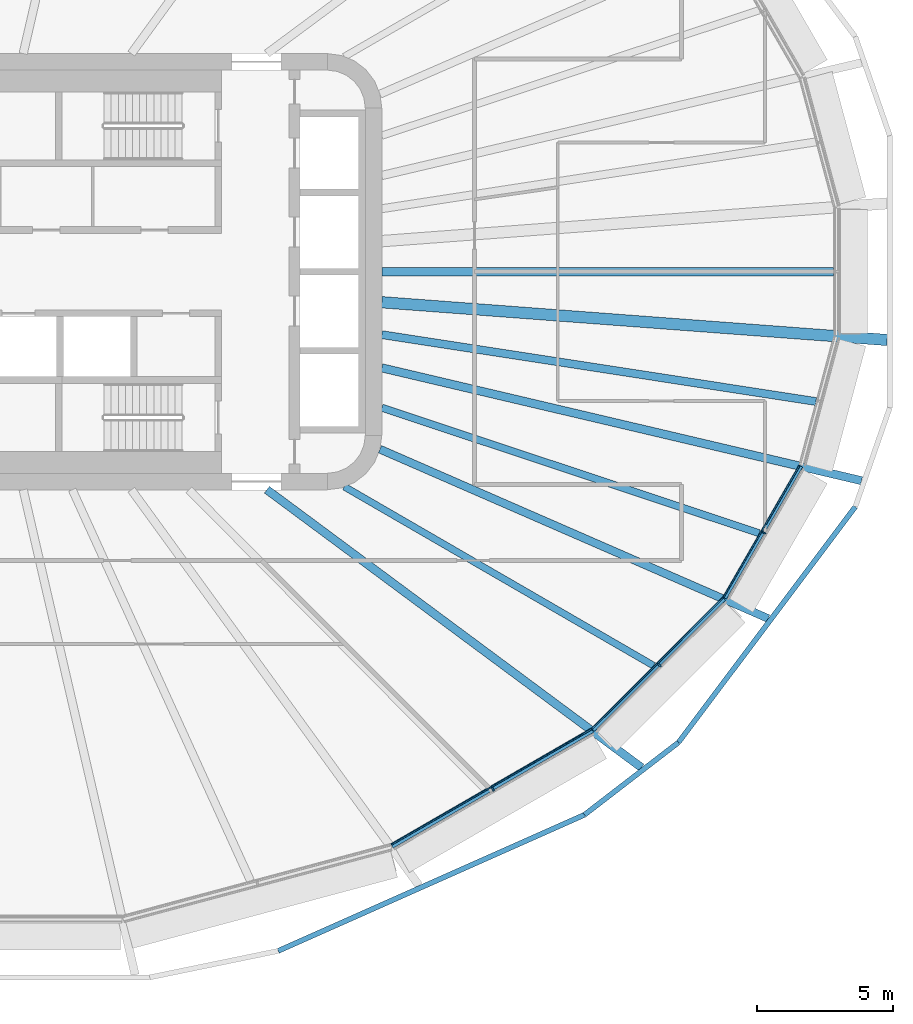
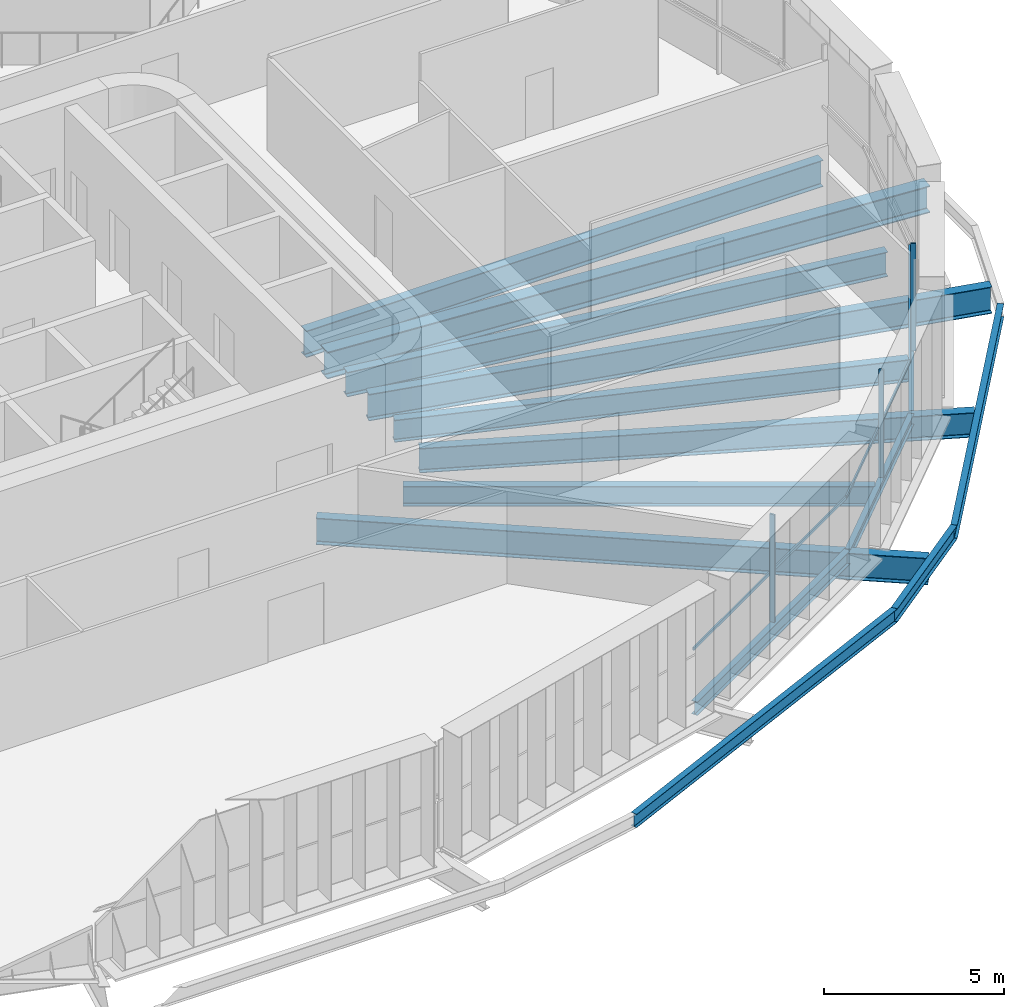
# One storey, part 5 of 25: 14 beams, 6 members, 3 elements without a shape of their own.
"""IFC4 building model written with IfcOpenShell, lengths in metres."""

from ifc_helpers import new_model, si_unit, direction, frame, origin, origin_2d, place, context, subcontext, project, spatial, rectangle, i_section, extrude, material, layer, layer_set, material_profile, profile_set, type_object, element, aggregate, save


model = new_model("IFC4")

# Units and contexts
model_context = context("Model", 3, precision=1e-05, world=origin(), true_north=direction((0.0, 1.0)))
body_context = subcontext(model_context, "Body", "Model", "MODEL_VIEW")
ifc_project = project(units=[si_unit("LENGTHUNIT", "METRE"), si_unit("AREAUNIT", "SQUARE_METRE"), si_unit("VOLUMEUNIT", "CUBIC_METRE"), si_unit("PLANEANGLEUNIT", "RADIAN"), si_unit("MASSUNIT", "GRAM", prefix="KILO")], contexts=[model_context])

# Site, building, storey
site_placement = place(None, origin())
site = spatial("IfcSite", under=ifc_project, at=site_placement, CompositionType="ELEMENT")
building_placement = place(site_placement, origin())
building = spatial("IfcBuilding", under=site, at=building_placement, Name="Sahrelin Media Tower", CompositionType="ELEMENT")
storey_placement = place(building_placement, frame((0.0, 0.0, 127.199951171875)))
storey = spatial("IfcBuildingStorey", under=building, at=storey_placement, Name="L25", CompositionType="ELEMENT", Elevation=127.199951171875)

# Beams
ifc_material_1 = material(Name="Steel S355", Category="steel")
ifc_material_profile_1 = material_profile(ifc_material_1, i_section(OverallWidth=0.1650390625, OverallDepth=0.303466796875, WebThickness=0.006103515625, FlangeThickness=0.01025390625, FilletRadius=0.0087890625, at=origin_2d()), Name="UB 305x165x40")
ifc_profile_set_1 = profile_set([ifc_material_profile_1], Name="Steel S355")
beam_type_1 = type_object("IfcBeamType", Name="Edge beam EB2", PredefinedType="BEAM", material=ifc_profile_set_1)
beam_1_placement = place(storey_placement, frame((30.364990234375, -7.13037109375, -0.3017578125), z_axis=(-0.500012514453, -0.866018178441, 0.0), x_axis=(0.866018178441, -0.500012514453, 0.0)))
element("IfcBeam", 1, at=beam_1_placement, inside=storey, type_object=beam_type_1, Name="Edge beam L25-03", PredefinedType="BEAM", context=body_context, shape_type="SweptSolid", body=[
    extrude(i_section(OverallWidth=0.1650390625, OverallDepth=0.303466796875, WebThickness=0.006103515625, FlangeThickness=0.01025390625, FilletRadius=0.0087890625, at=origin_2d()), origin(), (0.0, 0.0, 1.0), 5.585693359375),
])
ifc_material_profile_2 = material_profile(ifc_material_1, i_section(OverallWidth=0.17138671875, OverallDepth=0.35498046875, WebThickness=0.00732421875, FlangeThickness=0.011474609375, FilletRadius=0.01025390625, at=origin_2d()), Name="UB 356x171x51")
ifc_profile_set_2 = profile_set([ifc_material_profile_2], Name="Steel S355")
beam_type_2 = type_object("IfcBeamType", Name="Edge beam EB3", PredefinedType="BEAM", material=ifc_profile_set_2)
beam_2_placement = place(storey_placement, frame((27.5546875, -11.990478515625, -0.327392578125), z_axis=(-0.707088830897, -0.70712473102, 0.0), x_axis=(0.70712473102, -0.707088830897, 0.0)))
element("IfcBeam", 2, at=beam_2_placement, inside=storey, type_object=beam_type_2, Name="Edge beam L25-04", PredefinedType="BEAM", context=body_context, shape_type="SweptSolid", body=[
    extrude(i_section(OverallWidth=0.17138671875, OverallDepth=0.35498046875, WebThickness=0.00732421875, FlangeThickness=0.011474609375, FilletRadius=0.01025390625, at=origin_2d()), origin(), (0.0, 0.0, 1.0), 6.800537109375),
])
ifc_material_profile_3 = material_profile(ifc_material_1, i_section(OverallWidth=0.1904296875, OverallDepth=0.45703125, WebThickness=0.009033203125, FlangeThickness=0.014404296875, FilletRadius=0.01025390625, at=origin_2d()), Name="UB 457x191x74")
ifc_profile_set_3 = profile_set([ifc_material_profile_3], Name="Steel S355")
beam_type_3 = type_object("IfcBeamType", Name="Edge beam EB5", PredefinedType="BEAM", material=ifc_profile_set_3)
beam_3_placement = place(storey_placement, frame((22.72314453125, -16.81689453125, -0.37841796875), z_axis=(-0.866031904094, -0.499988740965, 0.0), x_axis=(0.499988740965, -0.866031904094, 0.0)))
element("IfcBeam", 3, at=beam_3_placement, inside=storey, type_object=beam_type_3, Name="Edge beam L25-05", PredefinedType="BEAM", context=body_context, shape_type="SweptSolid", body=[
    extrude(i_section(OverallWidth=0.1904296875, OverallDepth=0.45703125, WebThickness=0.009033203125, FlangeThickness=0.014404296875, FilletRadius=0.01025390625, at=origin_2d()), origin(), (0.0, 0.0, 1.0), 8.491943359375),
])

# Curtain wall, member
ifc_material_2 = material(Name="Champagne anodised aluminium 6063-T6", Category="aluminium")
ifc_layer = layer(ifc_material_2, 0.14990234375)
ifc_layer_set = layer_set([ifc_layer], Name="Tower ribbon curtain wall")
curtain_wall_type = type_object("IfcCurtainWallType", Name="Tower ribbon curtain wall", PredefinedType="NOTDEFINED", material=ifc_layer_set)
curtain_wall_1_placement = place(storey_placement, frame((19.12109375, -19.069580078125, 0.0), z_axis=(0.0, 0.0, 1.0), x_axis=(1.0, 0.0, 0.0)))
curtain_wall_1 = element("IfcCurtainWall", 4, at=curtain_wall_1_placement, inside=storey, type_object=curtain_wall_type, Name="L25:CW:L25-20", PredefinedType="NOTDEFINED")
ifc_material_profile_4 = material_profile(ifc_material_2, rectangle(XDim=0.06005859375, YDim=0.14990234375, at=origin_2d()), Name="Mullion 60x150")
ifc_profile_set_4 = profile_set([ifc_material_profile_4], Name="Champagne anodised aluminium 6063-T6")
member_type_1 = type_object("IfcMemberType", Name="Mullion 60x150 CW1", PredefinedType="MULLION", material=ifc_profile_set_4)
member_1_placement = place(storey_placement, frame((19.073486328125, -18.9873046875, 0.0), z_axis=(0.0, 0.0, 1.0), x_axis=(0.866028021766, 0.499995465495, 0.0)))
member_1 = element("IfcMember", 5, at=member_1_placement, type_object=member_type_1, Name="L25:CWM:L25-20", PredefinedType="MULLION", context=body_context, shape_type="SweptSolid", body=[
    extrude(rectangle(XDim=0.06005859375, YDim=0.14990234375, at=origin_2d()), origin(), (0.0, 0.0, 1.0), 3.648681640625),
])

curtain_wall_2_placement = place(storey_placement, frame((25.25634765625, -14.5009765625, 0.0), z_axis=(0.0, 0.0, 1.0), x_axis=(1.0, 0.0, 0.0)))
curtain_wall_2 = element("IfcCurtainWall", 6, at=curtain_wall_2_placement, inside=storey, type_object=curtain_wall_type, Name="L25:CW:L25-21", PredefinedType="NOTDEFINED")
member_2_placement = place(storey_placement, frame((25.189208984375, -14.433837890625, 0.0), z_axis=(0.0, 0.0, 1.0), x_axis=(0.707099376343, 0.707114185953, 0.0)))
member_2 = element("IfcMember", 7, at=member_2_placement, type_object=member_type_1, Name="L25:CWM:L25-21", PredefinedType="MULLION", context=body_context, shape_type="SweptSolid", body=[
    extrude(rectangle(XDim=0.06005859375, YDim=0.14990234375, at=origin_2d()), origin(), (0.0, 0.0, 1.0), 3.648681640625),
])

curtain_wall_3_placement = place(storey_placement, frame((29.098388671875, -9.6240234375, 0.0), z_axis=(0.0, 0.0, 1.0), x_axis=(1.0, 0.0, 0.0)))
curtain_wall_3 = element("IfcCurtainWall", 8, at=curtain_wall_3_placement, inside=storey, type_object=curtain_wall_type, Name="L25:CW:L25-22", PredefinedType="NOTDEFINED")
member_3_placement = place(storey_placement, frame((29.01611328125, -9.57666015625, 0.0), z_axis=(0.0, 0.0, 1.0), x_axis=(0.4999984885, 0.866026276448, 0.0)))
member_3 = element("IfcMember", 9, at=member_3_placement, type_object=member_type_1, Name="L25:CWM:L25-22", PredefinedType="MULLION", context=body_context, shape_type="SweptSolid", body=[
    extrude(rectangle(XDim=0.06005859375, YDim=0.14990234375, at=origin_2d()), origin(), (0.0, 0.0, 1.0), 3.648681640625),
])

# Beams
ifc_material_profile_5 = material_profile(ifc_material_1, i_section(OverallWidth=0.291748046875, OverallDepth=0.8349609375, WebThickness=0.013916015625, FlangeThickness=0.018798828125, FilletRadius=0.017822265625, at=origin_2d()), Name="UB 838x292x176")
ifc_profile_set_5 = profile_set([ifc_material_profile_5], Name="Steel S355")
beam_type_4 = type_object("IfcBeamType", Name="Radial primary beam PB10", PredefinedType="BEAM", material=ifc_profile_set_5)
beam_4_placement = place(storey_placement, frame((14.9326171875, -6.51171875, -0.5673828125), z_axis=(0.91664061464, -0.399712376081, 0.0), x_axis=(0.399712376081, 0.91664061464, 0.0)))
element("IfcBeam", 10, at=beam_4_placement, inside=storey, type_object=beam_type_4, Name="Radial beam L25-22", PredefinedType="BEAM", context=body_context, shape_type="SweptSolid", body=[
    extrude(i_section(OverallWidth=0.291748046875, OverallDepth=0.8349609375, WebThickness=0.013916015625, FlangeThickness=0.018798828125, FilletRadius=0.017822265625, at=origin_2d()), origin(), (0.0, 0.0, 1.0), 15.537841796875),
])
ifc_material_profile_6 = material_profile(ifc_material_1, i_section(OverallWidth=0.30322265625, OverallDepth=0.903076171875, WebThickness=0.01513671875, FlangeThickness=0.020263671875, FilletRadius=0.01904296875, at=origin_2d()), Name="UB 914x305x201")
ifc_profile_set_6 = profile_set([ifc_material_profile_6], Name="Steel S355")
beam_type_5 = type_object("IfcBeamType", Name="Radial primary beam PB11", PredefinedType="BEAM", material=ifc_profile_set_6)
beam_5_placement = place(storey_placement, frame((10.787109375, -8.0, -0.6015625), z_axis=(0.803218064417, -0.595685102209, 0.0), x_axis=(0.595685102209, 0.803218064417, 0.0)))
element("IfcBeam", 11, at=beam_5_placement, inside=storey, type_object=beam_type_5, Name="Radial beam L25-21", PredefinedType="BEAM", context=body_context, shape_type="SweptSolid", body=[
    extrude(i_section(OverallWidth=0.30322265625, OverallDepth=0.903076171875, WebThickness=0.01513671875, FlangeThickness=0.020263671875, FilletRadius=0.01904296875, at=origin_2d()), origin(), (0.0, 0.0, 1.0), 17.1083984375),
])
beam_6_placement = place(storey_placement, frame((15.0, -3.527587890625, -0.6015625), z_axis=(0.973441952546, -0.228933975247, 0.0), x_axis=(0.228933975247, 0.973441952546, 0.0)))
element("IfcBeam", 12, at=beam_6_placement, inside=storey, type_object=beam_type_5, Name="Radial beam L25-23", PredefinedType="BEAM", context=body_context, shape_type="SweptSolid", body=[
    extrude(i_section(OverallWidth=0.30322265625, OverallDepth=0.903076171875, WebThickness=0.01513671875, FlangeThickness=0.020263671875, FilletRadius=0.01904296875, at=origin_2d()), origin(), (0.0, 0.0, 1.0), 18.082275390625),
])
ifc_material_profile_7 = material_profile(ifc_material_1, i_section(OverallWidth=0.41845703125, OverallDepth=0.911865234375, WebThickness=0.019287109375, FlangeThickness=0.031982421875, FilletRadius=0.024169921875, at=origin_2d()), Name="UB 914x419x343")
ifc_profile_set_7 = profile_set([ifc_material_profile_7], Name="Steel S355")
beam_type_6 = type_object("IfcBeamType", Name="Radial primary beam PB12", PredefinedType="BEAM", material=ifc_profile_set_7)
beam_7_placement = place(storey_placement, frame((15.0, -1.12060546875, -0.60595703125), z_axis=(0.997219962224, -0.07451407211, 0.0), x_axis=(0.07451407211, 0.997219962224, 0.0)))
element("IfcBeam", 13, at=beam_7_placement, inside=storey, type_object=beam_type_6, Name="Radial beam L25-24", PredefinedType="BEAM", context=body_context, shape_type="SweptSolid", body=[
    extrude(i_section(OverallWidth=0.41845703125, OverallDepth=0.911865234375, WebThickness=0.019287109375, FlangeThickness=0.031982421875, FilletRadius=0.024169921875, at=origin_2d()), origin(), (0.0, 0.0, 1.0), 18.590576171875),
])
ifc_material_profile_8 = material_profile(ifc_material_1, i_section(OverallWidth=0.291748046875, OverallDepth=0.8349609375, WebThickness=0.013916015625, FlangeThickness=0.018798828125, FilletRadius=0.017822265625, at=origin_2d()), Name="UB 838x292x176")
ifc_profile_set_8 = profile_set([ifc_material_profile_8], Name="Steel S355")
beam_type_7 = type_object("IfcBeamType", Name="Radial secondary beam SB10", PredefinedType="BEAM", material=ifc_profile_set_8)
beam_8_placement = place(storey_placement, frame((15.0, -2.309814453125, -0.5673828125), z_axis=(0.988353300858, -0.152176715314, 0.0), x_axis=(0.152176715314, 0.988353300858, 0.0)))
element("IfcBeam", 14, at=beam_8_placement, inside=storey, type_object=beam_type_7, Name="Secondary beam L25-19", PredefinedType="BEAM", context=body_context, shape_type="SweptSolid", body=[
    extrude(i_section(OverallWidth=0.291748046875, OverallDepth=0.8349609375, WebThickness=0.013916015625, FlangeThickness=0.018798828125, FilletRadius=0.017822265625, at=origin_2d()), origin(), (0.0, 0.0, 1.0), 16.115478515625),
])
ifc_material_profile_9 = material_profile(ifc_material_1, i_section(OverallWidth=0.30322265625, OverallDepth=0.903076171875, WebThickness=0.01513671875, FlangeThickness=0.020263671875, FilletRadius=0.01904296875, at=origin_2d()), Name="UB 914x305x201")
ifc_profile_set_9 = profile_set([ifc_material_profile_9], Name="Steel S355")
beam_type_8 = type_object("IfcBeamType", Name="Radial secondary beam SB11", PredefinedType="BEAM", material=ifc_profile_set_9)
beam_9_placement = place(storey_placement, frame((15.0, 0.0, -0.6015625), z_axis=(1.0, 0.0, 0.0), x_axis=(0.0, 1.0, 0.0)))
element("IfcBeam", 15, at=beam_9_placement, inside=storey, type_object=beam_type_8, Name="Secondary beam L25-20", PredefinedType="BEAM", context=body_context, shape_type="SweptSolid", body=[
    extrude(i_section(OverallWidth=0.30322265625, OverallDepth=0.903076171875, WebThickness=0.01513671875, FlangeThickness=0.020263671875, FilletRadius=0.01904296875, at=origin_2d()), origin(), (0.0, 0.0, 1.0), 16.5751953125),
])
ifc_material_profile_10 = material_profile(ifc_material_1, i_section(OverallWidth=0.2529296875, OverallDepth=0.677978515625, WebThickness=0.01171875, FlangeThickness=0.01611328125, FilletRadius=0.01513671875, at=origin_2d()), Name="UB 686x254x125")
ifc_profile_set_10 = profile_set([ifc_material_profile_10], Name="Steel S355")
beam_type_9 = type_object("IfcBeamType", Name="Radial secondary beam SB8", PredefinedType="BEAM", material=ifc_profile_set_10)
beam_10_placement = place(storey_placement, frame((13.626708984375, -7.88671875, -0.48876953125), z_axis=(0.86549046437, -0.50092539972, 0.0), x_axis=(0.50092539972, 0.86549046437, 0.0)))
element("IfcBeam", 16, at=beam_10_placement, inside=storey, type_object=beam_type_9, Name="Secondary beam L25-17", PredefinedType="BEAM", context=body_context, shape_type="SweptSolid", body=[
    extrude(i_section(OverallWidth=0.2529296875, OverallDepth=0.677978515625, WebThickness=0.01171875, FlangeThickness=0.01611328125, FilletRadius=0.01513671875, at=origin_2d()), origin(), (0.0, 0.0, 1.0), 13.107666015625),
])
ifc_material_profile_11 = material_profile(ifc_material_1, i_section(OverallWidth=0.26513671875, OverallDepth=0.75390625, WebThickness=0.0126953125, FlangeThickness=0.017578125, FilletRadius=0.0166015625, at=origin_2d()), Name="UB 762x267x147")
ifc_profile_set_11 = profile_set([ifc_material_profile_11], Name="Steel S355")
beam_type_10 = type_object("IfcBeamType", Name="Radial secondary beam SB9", PredefinedType="BEAM", material=ifc_profile_set_11)
beam_11_placement = place(storey_placement, frame((15.0, -4.989013671875, -0.52685546875), z_axis=(0.948892219303, -0.315600310752, 0.0), x_axis=(0.315600310752, 0.948892219303, 0.0)))
element("IfcBeam", 17, at=beam_11_placement, inside=storey, type_object=beam_type_10, Name="Secondary beam L25-18", PredefinedType="BEAM", context=body_context, shape_type="SweptSolid", body=[
    extrude(i_section(OverallWidth=0.26513671875, OverallDepth=0.75390625, WebThickness=0.0126953125, FlangeThickness=0.017578125, FilletRadius=0.0166015625, at=origin_2d()), origin(), (0.0, 0.0, 1.0), 14.5927734375),
])
ifc_material_profile_12 = material_profile(ifc_material_1, i_section(OverallWidth=0.1904296875, OverallDepth=0.45703125, WebThickness=0.009033203125, FlangeThickness=0.014404296875, FilletRadius=0.01025390625, at=origin_2d()), Name="UB 457x191x74")
ifc_profile_set_12 = profile_set([ifc_material_profile_12], Name="Steel S355")
beam_type_11 = type_object("IfcBeamType", Name="Tie chord TC5", PredefinedType="BEAM", material=ifc_profile_set_12)
beam_12_placement = place(storey_placement, frame((11.199951171875, -24.916015625, -0.37841796875), z_axis=(0.913827107838, 0.406103456007, 0.0), x_axis=(-0.406103456007, 0.913827107838, 0.0)))
element("IfcBeam", 18, at=beam_12_placement, inside=storey, type_object=beam_type_11, Name="Tie chord L25-20", PredefinedType="BEAM", context=body_context, shape_type="SweptSolid", body=[
    extrude(i_section(OverallWidth=0.1904296875, OverallDepth=0.45703125, WebThickness=0.009033203125, FlangeThickness=0.014404296875, FilletRadius=0.01025390625, at=origin_2d()), origin(), (0.0, 0.0, 1.0), 12.29345703125),
])
beam_13_placement = place(storey_placement, frame((22.43408203125, -19.923583984375, -0.37841796875), z_axis=(0.792463481289, 0.609919364198, 0.0), x_axis=(-0.609919364198, 0.792463481289, 0.0)))
element("IfcBeam", 19, at=beam_13_placement, inside=storey, type_object=beam_type_11, Name="Tie chord L25-21", PredefinedType="BEAM", context=body_context, shape_type="SweptSolid", body=[
    extrude(i_section(OverallWidth=0.1904296875, OverallDepth=0.45703125, WebThickness=0.009033203125, FlangeThickness=0.014404296875, FilletRadius=0.01025390625, at=origin_2d()), origin(), (0.0, 0.0, 1.0), 4.354736328125),
])
beam_14_placement = place(storey_placement, frame((25.885009765625, -17.267578125, -0.37841796875), z_axis=(0.600050592143, 0.799962053393, 0.0), x_axis=(-0.799962053393, 0.600050592143, 0.0)))
element("IfcBeam", 20, at=beam_14_placement, inside=storey, type_object=beam_type_11, Name="Tie chord L25-22", PredefinedType="BEAM", context=body_context, shape_type="SweptSolid", body=[
    extrude(i_section(OverallWidth=0.1904296875, OverallDepth=0.45703125, WebThickness=0.009033203125, FlangeThickness=0.014404296875, FilletRadius=0.01025390625, at=origin_2d()), origin(), (0.0, 0.0, 1.0), 10.809326171875),
])

# Member
ifc_material_profile_13 = material_profile(ifc_material_2, rectangle(XDim=0.050048828125, YDim=0.10009765625, at=origin_2d()), Name="Transom 50x100")
ifc_profile_set_13 = profile_set([ifc_material_profile_13], Name="Champagne anodised aluminium 6063-T6")
member_type_2 = type_object("IfcMemberType", Name="Transom 50x100 CW1", PredefinedType="USERDEFINED", material=ifc_profile_set_13)
member_4_placement = place(storey_placement, frame((15.360107421875, -21.015869140625, 1.60009765625), z_axis=(0.866023641037, 0.500003053156, 0.0), x_axis=(-0.500003053156, 0.866023641037, 0.0)))
member_4 = element("IfcMember", 21, at=member_4_placement, type_object=member_type_2, Name="L25:CWT:L25-20", ObjectType="TRANSOM", PredefinedType="USERDEFINED", context=body_context, shape_type="SweptSolid", body=[
    extrude(rectangle(XDim=0.050048828125, YDim=0.10009765625, at=origin_2d()), origin(), (0.0, 0.0, 1.0), 8.46044921875),
])

aggregate(curtain_wall_1, [member_1, member_4])

member_5_placement = place(storey_placement, frame((22.725341796875, -16.75634765625, 1.60009765625), z_axis=(0.707106781187, 0.707106781187, 0.0), x_axis=(-0.707106781187, 0.707106781187, 0.0)))
member_5 = element("IfcMember", 22, at=member_5_placement, type_object=member_type_2, Name="L25:CWT:L25-21", ObjectType="TRANSOM", PredefinedType="USERDEFINED", context=body_context, shape_type="SweptSolid", body=[
    extrude(rectangle(XDim=0.050048828125, YDim=0.10009765625, at=origin_2d()), origin(), (0.0, 0.0, 1.0), 6.76904296875),
])

aggregate(curtain_wall_2, [member_2, member_5])

member_6_placement = place(storey_placement, frame((27.541015625, -11.931640625, 1.60009765625), z_axis=(0.500001483402, 0.86602454734, 0.0), x_axis=(-0.86602454734, 0.500001483402, 0.0)))
member_6 = element("IfcMember", 23, at=member_6_placement, type_object=member_type_2, Name="L25:CWT:L25-22", ObjectType="TRANSOM", PredefinedType="USERDEFINED", context=body_context, shape_type="SweptSolid", body=[
    extrude(rectangle(XDim=0.050048828125, YDim=0.10009765625, at=origin_2d()), origin(), (0.0, 0.0, 1.0), 5.55419921875),
])

aggregate(curtain_wall_3, [member_3, member_6])

save(model, "model.ifc")
